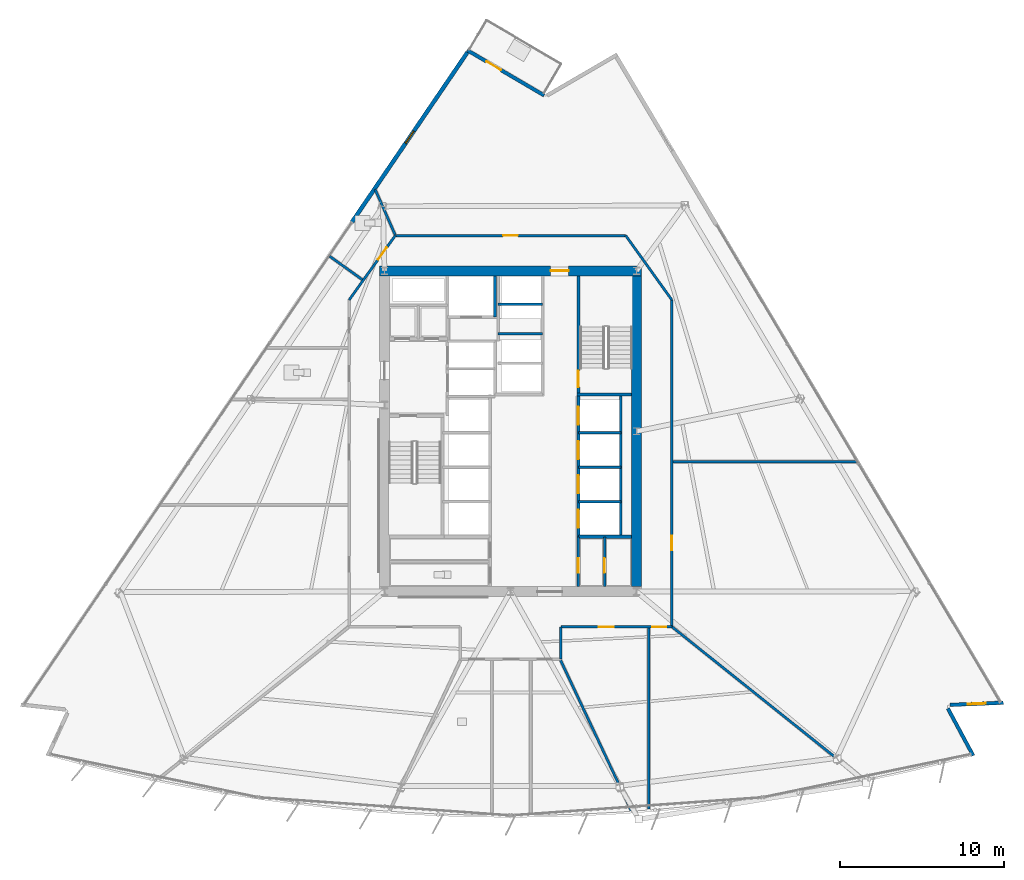
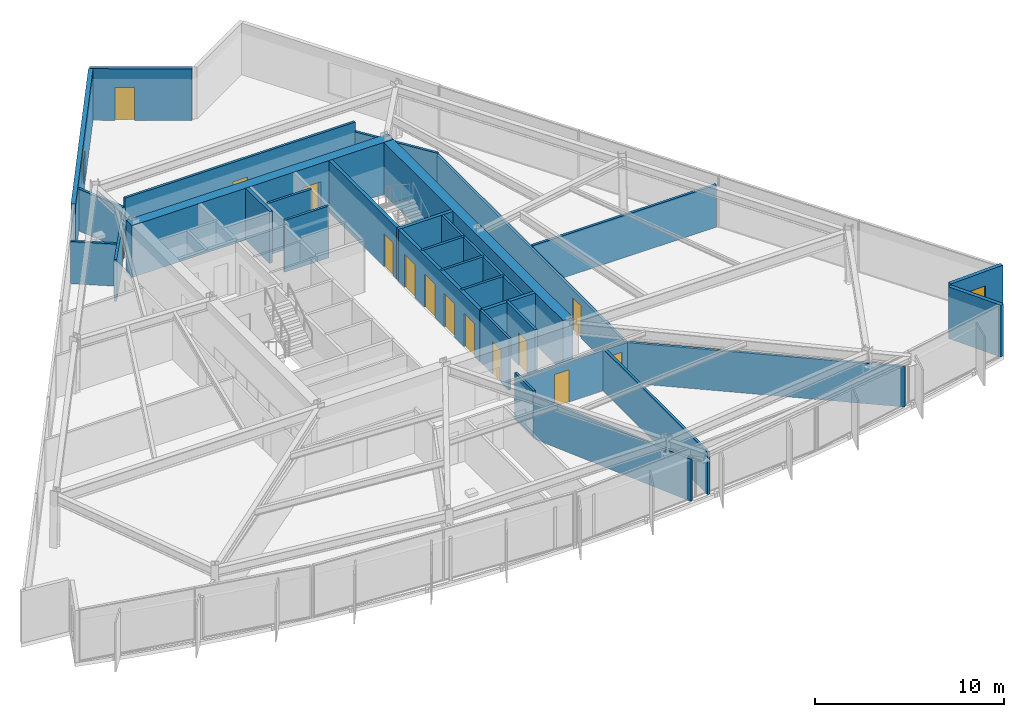
# One storey, part 10 of 18: 31 walls, 14 doors, 2 windows, 16 openings.
"""IFC4 building model written with IfcOpenShell, lengths in metres."""

from ifc_helpers import new_model, si_unit, direction, frame, frame_2d, origin, place, context, subcontext, project, spatial, rectangle, extrude, material, layer, layer_set, type_object, element, fill, save


model = new_model("IFC4")

# Units and contexts
model_context = context("Model", 3, precision=1e-05, world=origin(), true_north=direction((0.0, 1.0)))
body_context = subcontext(model_context, "Body", "Model", "MODEL_VIEW")
ifc_project = project(units=[si_unit("LENGTHUNIT", "METRE"), si_unit("AREAUNIT", "SQUARE_METRE"), si_unit("VOLUMEUNIT", "CUBIC_METRE"), si_unit("PLANEANGLEUNIT", "RADIAN"), si_unit("MASSUNIT", "GRAM", prefix="KILO")], contexts=[model_context])

# Site, building, storey
site_placement = place(None, origin())
site = spatial("IfcSite", under=ifc_project, at=site_placement, CompositionType="ELEMENT")
building_placement = place(site_placement, origin())
building = spatial("IfcBuilding", under=site, at=building_placement, Name="Savorim Split Tower", CompositionType="ELEMENT")
storey_placement = place(building_placement, frame((0.0, 0.0, 44.39990234375)))
storey = spatial("IfcBuildingStorey", under=building, at=storey_placement, Name="L11", CompositionType="ELEMENT", Elevation=44.39990234375)

# Wall, opening, door
ifc_material_1 = material(Name="Concrete C60/75", Category="concrete")
ifc_layer_1 = layer(ifc_material_1, 0.60009765625)
ifc_layer_set_1 = layer_set([ifc_layer_1], Name="WAL-COR-SH600")
wall_type_1 = type_object("IfcWallType", Name="WAL-COR-SH600", PredefinedType="SHEAR", material=ifc_layer_set_1)
wall_1_placement = place(storey_placement, frame((8.0, 10.199951171875, 0.0), z_axis=(0.0, 0.0, 1.0), x_axis=(-1.0, 0.0, 0.0)))
wall_1 = element("IfcWall", 1, at=wall_1_placement, inside=storey, type_object=wall_type_1, Name="L11 Offset Core North Shear Wall", PredefinedType="SHEAR", context=body_context, shape_type="SweptSolid", body=[
    extrude(rectangle(XDim=16.0, YDim=0.60009765625, at=frame_2d((8.0, 0.0))), origin(), (0.0, 0.0, 1.0), 3.35009765625),
])
opening_1_placement = place(wall_1_placement, frame((4.449951171875, 0.0, 0.0)))
opening_1 = element("IfcOpeningElement", 2, at=opening_1_placement, cuts=wall_1, Name="Opening DI-03", PredefinedType="OPENING", context=body_context, shape_type="SweptSolid", body=[
    extrude(rectangle(XDim=1.10009765625, YDim=2.14990234375, at=frame_2d((0.550048828125, 1.074951171875))), frame((0.0, 0.31005859375, 0.0), z_axis=(0.0, -1.0, 0.0), x_axis=(1.0, 0.0, 0.0)), (0.0, 0.0, 1.0), 0.6201171875),
])
ifc_material_2 = material(Name="Timber Fire Door Leaf", Category="wood")
door_type_1 = type_object("IfcDoorType", Name="DOR-FIR-1100", OperationType="NOTDEFINED", PredefinedType="DOOR", material=ifc_material_2)
door_1_placement = place(opening_1_placement, origin())
door_1 = element("IfcDoor", 3, at=door_1_placement, inside=storey, type_object=door_type_1, Name="DOR-L11-COR-NLOB - L11 North Corridor Lobby Fire Door", OperationType="SINGLE_SWING_RIGHT", OverallHeight=2.14990234375, OverallWidth=1.10009765625, PredefinedType="DOOR", context=body_context, shape_type="SweptSolid", body=[
    extrude(rectangle(XDim=1.10009765625, YDim=2.14990234375, at=frame_2d((0.550048828125, 1.074951171875))), frame((0.0, 0.02490234375, 0.0), z_axis=(0.0, -1.0, 0.0), x_axis=(1.0, 0.0, 0.0)), (0.0, 0.0, 1.0), 0.050048828125),
])
fill(opening_1, door_1)

# Walls
wall_2_placement = place(storey_placement, frame((7.699951171875, 9.89990234375, 0.0), z_axis=(0.0, 0.0, 1.0), x_axis=(0.0, -1.0, 0.0)))
element("IfcWall", 4, at=wall_2_placement, inside=storey, type_object=wall_type_1, Name="L11 Offset Core East Shear Wall", PredefinedType="SHEAR", context=body_context, shape_type="SweptSolid", body=[
    extrude(rectangle(XDim=19.0, YDim=0.60009765625, at=frame_2d((9.5, 0.0))), origin(), (0.0, 0.0, 1.0), 3.35009765625),
])
ifc_material_3 = material(Name="Precast concrete C40/50", Category="concrete")
ifc_layer_2 = layer(ifc_material_3, 0.219970703125)
ifc_layer_set_2 = layer_set([ifc_layer_2], Name="WAL-EXT-CRN220")
wall_type_2 = type_object("IfcWallType", Name="WAL-EXT-CRN220", PredefinedType="SOLIDWALL", material=ifc_layer_set_2)
wall_3_placement = place(storey_placement, frame((26.729248046875, -16.5400390625, 0.0), z_axis=(0.0, 0.0, 1.0), x_axis=(0.472830429959, -0.881153439819, 0.0)))
element("IfcWall", 5, at=wall_3_placement, inside=storey, type_object=wall_type_2, Name="L11 Notched Corner Facade Wall SE1", PredefinedType="SOLIDWALL", context=body_context, shape_type="SweptSolid", body=[
    extrude(rectangle(XDim=3.27001953125, YDim=0.219970703125, at=frame_2d((1.635009765625, 0.0))), origin(), (0.0, 0.0, 1.0), 3.35009765625),
])

# Wall, opening, window
wall_4_placement = place(storey_placement, frame((30.114990234375, -16.1875, 0.0), z_axis=(0.0, 0.0, 1.0), x_axis=(-0.999095638069, -0.042519477791, 0.0)))
wall_4 = element("IfcWall", 6, at=wall_4_placement, inside=storey, type_object=wall_type_2, Name="L11 Notched Corner Facade Wall SE", PredefinedType="SOLIDWALL", context=body_context, shape_type="SweptSolid", body=[
    extrude(rectangle(XDim=3.26708984375, YDim=0.219970703125, at=frame_2d((1.633544921875, 0.0))), origin(), (0.0, 0.0, 1.0), 3.35009765625),
])
opening_2_placement = place(wall_4_placement, frame((1.08349609375, 0.0, 0.6201171875)))
opening_2 = element("IfcOpeningElement", 7, at=opening_2_placement, cuts=wall_4, Name="Opening WN-09", PredefinedType="OPENING", context=body_context, shape_type="SweptSolid", body=[
    extrude(rectangle(XDim=1.10009765625, YDim=1.800048828125, at=frame_2d((0.550048828125, 0.89990234375))), frame((0.0, 0.119873046875, 0.0), z_axis=(0.0, -1.0, 0.0), x_axis=(1.0, 0.0, 0.0)), (0.0, 0.0, 1.0), 0.239990234375),
])
ifc_material_4 = material(Name="Low-E Operable Double Glazing", Category="glass")
window_type_1 = type_object("IfcWindowType", Name="WIN-TWR-1100x1800", PartitioningType="SINGLE_PANEL", PredefinedType="WINDOW", material=ifc_material_4)
window_1_placement = place(opening_2_placement, origin())
window_1 = element("IfcWindow", 8, at=window_1_placement, inside=storey, type_object=window_type_1, Name="L11 Operable Corner Window SE", OverallHeight=1.800048828125, OverallWidth=1.10009765625, PartitioningType="SINGLE_PANEL", PredefinedType="WINDOW", context=body_context, shape_type="SweptSolid", body=[
    extrude(rectangle(XDim=1.10009765625, YDim=1.800048828125, at=frame_2d((0.550048828125, 0.89990234375))), frame((0.0, 0.030029296875, 0.0), z_axis=(0.0, -1.0, 0.0), x_axis=(1.0, 0.0, 0.0)), (0.0, 0.0, 1.0), 0.06005859375),
])
fill(opening_2, window_1)

# Wall, opening, door
wall_5_placement = place(storey_placement, frame((-2.634765625, 23.681396484375, 0.0), z_axis=(0.0, 0.0, 1.0), x_axis=(0.862126841454, -0.506692519428, 0.0)))
wall_5 = element("IfcWall", 9, at=wall_5_placement, inside=storey, type_object=wall_type_2, Name="L11 Notched Corner Facade Wall N", PredefinedType="SOLIDWALL", context=body_context, shape_type="SweptSolid", body=[
    extrude(rectangle(XDim=5.439453125, YDim=0.219970703125, at=frame_2d((2.7197265625, 0.0))), origin(), (0.0, 0.0, 1.0), 3.35009765625),
])
opening_3_placement = place(wall_5_placement, frame((1.3447265625, 0.0, 0.0)))
opening_3 = element("IfcOpeningElement", 10, at=opening_3_placement, cuts=wall_5, Name="Opening DB-01", PredefinedType="OPENING", context=body_context, shape_type="SweptSolid", body=[
    extrude(rectangle(XDim=1.050048828125, YDim=2.14990234375, at=frame_2d((0.52490234375, 1.074951171875))), frame((0.0, 0.119873046875, 0.0), z_axis=(0.0, -1.0, 0.0), x_axis=(1.0, 0.0, 0.0)), (0.0, 0.0, 1.0), 0.239990234375),
])
ifc_material_5 = material(Name="Charcoal Anodised Aluminium", Category="aluminium")
door_type_2 = type_object("IfcDoorType", Name="DOR-BAL-1050", OperationType="NOTDEFINED", PredefinedType="DOOR", material=ifc_material_5)
door_2_placement = place(opening_3_placement, origin())
door_2 = element("IfcDoor", 11, at=door_2_placement, inside=storey, type_object=door_type_2, Name="DOR-L11-TBAL-N - L11 Planted Tree Balcony Door N", OperationType="SINGLE_SWING_RIGHT", OverallHeight=2.14990234375, OverallWidth=1.050048828125, PredefinedType="DOOR", context=body_context, shape_type="SweptSolid", body=[
    extrude(rectangle(XDim=1.050048828125, YDim=2.14990234375, at=frame_2d((0.52490234375, 1.074951171875))), frame((0.0, 0.02490234375, 0.0), z_axis=(0.0, -1.0, 0.0), x_axis=(1.0, 0.0, 0.0)), (0.0, 0.0, 1.0), 0.050048828125),
])
fill(opening_3, door_2)

# Wall, opening, window
ifc_layer_3 = layer(ifc_material_3, 0.25)
ifc_layer_set_3 = layer_set([ifc_layer_3], Name="WAL-EXT-SPN250")
wall_type_3 = type_object("IfcWallType", Name="WAL-EXT-SPN250", PredefinedType="SOLIDWALL", material=ifc_layer_set_3)
wall_6_placement = place(storey_placement, frame((-9.68408203125, 13.19091796875, 0.0), z_axis=(0.0, 0.0, 1.0), x_axis=(0.562473549685, 0.826815279192, 0.0)))
wall_6 = element("IfcWall", 12, at=wall_6_placement, inside=storey, type_object=wall_type_3, Name="L11 West Operable Window Pier", PredefinedType="SOLIDWALL", context=body_context, shape_type="SweptSolid", body=[
    extrude(rectangle(XDim=12.53564453125, YDim=0.25, at=frame_2d((6.267822265625, 0.0))), origin(), (0.0, 0.0, 1.0), 3.35009765625),
])
opening_4_placement = place(wall_6_placement, frame((5.81787109375, 0.0, 0.6201171875)))
opening_4 = element("IfcOpeningElement", 13, at=opening_4_placement, cuts=wall_6, Name="Opening WN-10", PredefinedType="OPENING", context=body_context, shape_type="SweptSolid", body=[
    extrude(rectangle(XDim=0.89990234375, YDim=1.60009765625, at=frame_2d((0.449951171875, 0.800048828125))), frame((0.0, 0.135009765625, 0.0), z_axis=(0.0, -1.0, 0.0), x_axis=(1.0, 0.0, 0.0)), (0.0, 0.0, 1.0), 0.27001953125),
])
window_type_2 = type_object("IfcWindowType", Name="WIN-TWR-900x1600", PartitioningType="SINGLE_PANEL", PredefinedType="WINDOW", material=ifc_material_4)
window_2_placement = place(opening_4_placement, origin())
window_2 = element("IfcWindow", 14, at=window_2_placement, inside=storey, type_object=window_type_2, Name="L11 West Operable Ventilation Window", OverallHeight=1.60009765625, OverallWidth=0.89990234375, PartitioningType="SINGLE_PANEL", PredefinedType="WINDOW", context=body_context, shape_type="SweptSolid", body=[
    extrude(rectangle(XDim=0.89990234375, YDim=1.60009765625, at=frame_2d((0.449951171875, 0.800048828125))), frame((0.0, 0.030029296875, 0.0), z_axis=(0.0, -1.0, 0.0), x_axis=(1.0, 0.0, 0.0)), (0.0, 0.0, 1.0), 0.06005859375),
])
fill(opening_4, window_2)

# Wall, opening, door
ifc_material_6 = material(Name="Concrete C50/60", Category="concrete")
ifc_layer_4 = layer(ifc_material_6, 0.199951171875)
ifc_layer_set_4 = layer_set([ifc_layer_4], Name="WAL-INT-RC200")
wall_type_4 = type_object("IfcWallType", Name="WAL-INT-RC200", PredefinedType="SOLIDWALL", material=ifc_layer_set_4)
wall_7_placement = place(storey_placement, frame((4.14990234375, 2.75, 0.0), z_axis=(0.0, 0.0, 1.0), x_axis=(0.0, 1.0, 0.0)))
wall_7 = element("IfcWall", 15, at=wall_7_placement, inside=storey, type_object=wall_type_4, Name="L11 Structural Shaft Wall W-L11-CR07", PredefinedType="SOLIDWALL", context=body_context, shape_type="SweptSolid", body=[
    extrude(rectangle(XDim=7.14990234375, YDim=0.199951171875, at=frame_2d((3.574951171875, 0.0))), origin(), (0.0, 0.0, 1.0), 3.35009765625),
])
opening_5_placement = place(wall_7_placement, frame((0.35009765625, 0.0, 0.0)))
opening_5 = element("IfcOpeningElement", 16, at=opening_5_placement, cuts=wall_7, Name="Opening DI-04", PredefinedType="OPENING", context=body_context, shape_type="SweptSolid", body=[
    extrude(rectangle(XDim=1.0, YDim=2.14990234375, at=frame_2d((0.5, 1.074951171875))), frame((0.0, 0.10986328125, 0.0), z_axis=(0.0, -1.0, 0.0), x_axis=(1.0, 0.0, 0.0)), (0.0, 0.0, 1.0), 0.219970703125),
])
door_type_3 = type_object("IfcDoorType", Name="DOR-FIR-1000", OperationType="NOTDEFINED", PredefinedType="DOOR", material=ifc_material_2)
door_3_placement = place(opening_5_placement, origin())
door_3 = element("IfcDoor", 17, at=door_3_placement, inside=storey, type_object=door_type_3, Name="DR-L11-ST2 - L11 Stair ST-2 Enclosure Door", OperationType="SINGLE_SWING_RIGHT", OverallHeight=2.14990234375, OverallWidth=1.0, PredefinedType="DOOR", context=body_context, shape_type="SweptSolid", body=[
    extrude(rectangle(XDim=1.0, YDim=2.14990234375, at=frame_2d((0.5, 1.074951171875))), frame((0.0, 0.02490234375, 0.0), z_axis=(0.0, -1.0, 0.0), x_axis=(1.0, 0.0, 0.0)), (0.0, 0.0, 1.0), 0.050048828125),
])
fill(opening_5, door_3)

# Walls
wall_8_placement = place(storey_placement, frame((4.050048828125, 2.64990234375, 0.0), z_axis=(0.0, 0.0, 1.0), x_axis=(1.0, 0.0, 0.0)))
element("IfcWall", 18, at=wall_8_placement, inside=storey, type_object=wall_type_4, Name="L11 Structural Shaft Wall W-L11-CR08", PredefinedType="SOLIDWALL", context=body_context, shape_type="SweptSolid", body=[
    extrude(rectangle(XDim=3.349853515625, YDim=0.199951171875, at=frame_2d((1.6748046875, 0.0))), origin(), (0.0, 0.0, 1.0), 3.35009765625),
])
wall_9_placement = place(storey_placement, frame((-0.949951171875, 7.3798828125, 0.0), z_axis=(0.0, 0.0, 1.0), x_axis=(0.0, 1.0, 0.0)))
element("IfcWall", 19, at=wall_9_placement, inside=storey, type_object=wall_type_4, Name="L11 Partition W-L11-SVLE", PredefinedType="SOLIDWALL", context=body_context, shape_type="SweptSolid", body=[
    extrude(rectangle(XDim=2.51513671875, YDim=0.199951171875, at=frame_2d((1.257568359375, 0.0))), origin(), (0.0, 0.0, 1.0), 3.35009765625),
])

# Wall, openings, doors
wall_10_placement = place(storey_placement, frame((4.14990234375, -6.050048828125, 0.0), z_axis=(0.0, 0.0, 1.0), x_axis=(0.0, 1.0, 0.0)))
wall_10 = element("IfcWall", 20, at=wall_10_placement, inside=storey, type_object=wall_type_4, Name="L11 Partition W-L11-B1FRONT", PredefinedType="SOLIDWALL", context=body_context, shape_type="SweptSolid", body=[
    extrude(rectangle(XDim=8.699951171875, YDim=0.199951171875, at=frame_2d((4.35009765625, 0.0))), origin(), (0.0, 0.0, 1.0), 3.35009765625),
])
opening_6_placement = place(wall_10_placement, frame((0.550048828125, 0.0, 0.0)))
opening_6 = element("IfcOpeningElement", 21, at=opening_6_placement, cuts=wall_10, Name="Opening LD-01", PredefinedType="OPENING", context=body_context, shape_type="SweptSolid", body=[
    extrude(rectangle(XDim=1.10009765625, YDim=2.14990234375, at=frame_2d((0.550048828125, 1.074951171875))), frame((0.0, 0.10986328125, 0.0), z_axis=(0.0, -1.0, 0.0), x_axis=(1.0, 0.0, 0.0)), (0.0, 0.0, 1.0), 0.219970703125),
])
opening_7_placement = place(wall_10_placement, frame((2.64990234375, 0.0, 0.0)))
opening_7 = element("IfcOpeningElement", 22, at=opening_7_placement, cuts=wall_10, Name="Opening LD-01", PredefinedType="OPENING", context=body_context, shape_type="SweptSolid", body=[
    extrude(rectangle(XDim=1.10009765625, YDim=2.14990234375, at=frame_2d((0.550048828125, 1.074951171875))), frame((0.0, 0.10986328125, 0.0), z_axis=(0.0, -1.0, 0.0), x_axis=(1.0, 0.0, 0.0)), (0.0, 0.0, 1.0), 0.219970703125),
])
opening_8_placement = place(wall_10_placement, frame((4.75, 0.0, 0.0)))
opening_8 = element("IfcOpeningElement", 23, at=opening_8_placement, cuts=wall_10, Name="Opening LD-01", PredefinedType="OPENING", context=body_context, shape_type="SweptSolid", body=[
    extrude(rectangle(XDim=1.10009765625, YDim=2.14990234375, at=frame_2d((0.550048828125, 1.074951171875))), frame((0.0, 0.10986328125, 0.0), z_axis=(0.0, -1.0, 0.0), x_axis=(1.0, 0.0, 0.0)), (0.0, 0.0, 1.0), 0.219970703125),
])
opening_9_placement = place(wall_10_placement, frame((6.85009765625, 0.0, 0.0)))
opening_9 = element("IfcOpeningElement", 24, at=opening_9_placement, cuts=wall_10, Name="Opening LD-01", PredefinedType="OPENING", context=body_context, shape_type="SweptSolid", body=[
    extrude(rectangle(XDim=1.10009765625, YDim=2.14990234375, at=frame_2d((0.550048828125, 1.074951171875))), frame((0.0, 0.10986328125, 0.0), z_axis=(0.0, -1.0, 0.0), x_axis=(1.0, 0.0, 0.0)), (0.0, 0.0, 1.0), 0.219970703125),
])
door_type_4 = type_object("IfcDoorType", Name="DOR-SLD-LD1100", OperationType="NOTDEFINED", PredefinedType="DOOR", material=ifc_material_5)
door_4_placement = place(opening_6_placement, origin())
door_4 = element("IfcDoor", 25, at=door_4_placement, inside=storey, type_object=door_type_4, Name="DR-L11-LD-PLL1 - L11 Lift PL-L1 Sliding Landing Door", OperationType="DOUBLE_DOOR_SLIDING", OverallHeight=2.14990234375, OverallWidth=1.10009765625, PredefinedType="DOOR", context=body_context, shape_type="SweptSolid", body=[
    extrude(rectangle(XDim=1.10009765625, YDim=2.14990234375, at=frame_2d((0.550048828125, 1.074951171875))), frame((0.0, 0.02490234375, 0.0), z_axis=(0.0, -1.0, 0.0), x_axis=(1.0, 0.0, 0.0)), (0.0, 0.0, 1.0), 0.050048828125),
])
fill(opening_6, door_4)
door_5_placement = place(opening_7_placement, origin())
door_5 = element("IfcDoor", 26, at=door_5_placement, inside=storey, type_object=door_type_4, Name="DR-L11-LD-PLL2 - L11 Lift PL-L2 Sliding Landing Door", OperationType="DOUBLE_DOOR_SLIDING", OverallHeight=2.14990234375, OverallWidth=1.10009765625, PredefinedType="DOOR", context=body_context, shape_type="SweptSolid", body=[
    extrude(rectangle(XDim=1.10009765625, YDim=2.14990234375, at=frame_2d((0.550048828125, 1.074951171875))), frame((0.0, 0.02490234375, 0.0), z_axis=(0.0, -1.0, 0.0), x_axis=(1.0, 0.0, 0.0)), (0.0, 0.0, 1.0), 0.050048828125),
])
fill(opening_7, door_5)
door_6_placement = place(opening_8_placement, origin())
door_6 = element("IfcDoor", 27, at=door_6_placement, inside=storey, type_object=door_type_4, Name="DR-L11-LD-PLL3 - L11 Lift PL-L3 Sliding Landing Door", OperationType="DOUBLE_DOOR_SLIDING", OverallHeight=2.14990234375, OverallWidth=1.10009765625, PredefinedType="DOOR", context=body_context, shape_type="SweptSolid", body=[
    extrude(rectangle(XDim=1.10009765625, YDim=2.14990234375, at=frame_2d((0.550048828125, 1.074951171875))), frame((0.0, 0.02490234375, 0.0), z_axis=(0.0, -1.0, 0.0), x_axis=(1.0, 0.0, 0.0)), (0.0, 0.0, 1.0), 0.050048828125),
])
fill(opening_8, door_6)
door_7_placement = place(opening_9_placement, origin())
door_7 = element("IfcDoor", 28, at=door_7_placement, inside=storey, type_object=door_type_4, Name="DR-L11-LD-PLL4 - L11 Lift PL-L4 Sliding Landing Door", OperationType="DOUBLE_DOOR_SLIDING", OverallHeight=2.14990234375, OverallWidth=1.10009765625, PredefinedType="DOOR", context=body_context, shape_type="SweptSolid", body=[
    extrude(rectangle(XDim=1.10009765625, YDim=2.14990234375, at=frame_2d((0.550048828125, 1.074951171875))), frame((0.0, 0.02490234375, 0.0), z_axis=(0.0, -1.0, 0.0), x_axis=(1.0, 0.0, 0.0)), (0.0, 0.0, 1.0), 0.050048828125),
])
fill(opening_9, door_7)

# Walls
wall_11_placement = place(storey_placement, frame((4.14990234375, -6.050048828125, 0.0), z_axis=(0.0, 0.0, 1.0), x_axis=(1.0, 0.0, 0.0)))
element("IfcWall", 29, at=wall_11_placement, inside=storey, type_object=wall_type_4, Name="L11 Partition W-L11-KSEP-E", PredefinedType="SOLIDWALL", context=body_context, shape_type="SweptSolid", body=[
    extrude(rectangle(XDim=3.2451171875, YDim=0.199951171875, at=frame_2d((1.62255859375, 0.0))), origin(), (0.0, 0.0, 1.0), 3.35009765625),
])
ifc_material_7 = material(Name="Acoustic Gypsum Partition Board")
ifc_layer_5 = layer(ifc_material_7, 0.14990234375)
ifc_layer_set_5 = layer_set([ifc_layer_5], Name="WAL-PAR-150")
wall_type_5 = type_object("IfcWallType", Name="WAL-PAR-150", PredefinedType="PARTITIONING", material=ifc_layer_set_5)
wall_12_placement = place(storey_placement, frame((6.75, -6.050048828125, 0.0), z_axis=(0.0, 0.0, 1.0), x_axis=(0.0, 1.0, 0.0)))
element("IfcWall", 30, at=wall_12_placement, inside=storey, type_object=wall_type_5, Name="L11 Partition W-L11-B1BACK", PredefinedType="PARTITIONING", context=body_context, shape_type="SweptSolid", body=[
    extrude(rectangle(XDim=8.699951171875, YDim=0.14990234375, at=frame_2d((4.35009765625, 0.0))), origin(), (0.0, 0.0, 1.0), 3.35009765625),
])
for number, where, z_axis, x_axis, name in (
    (31, (4.14990234375, -3.89990234375, 0.0), (0.0, 0.0, 1.0), (1.0, 0.0, 0.0), "L11 Partition W-L11-B1DIV1"),
    (32, (4.14990234375, -1.800048828125, 0.0), (0.0, 0.0, 1.0), (1.0, 0.0, 0.0), "L11 Partition W-L11-B1DIV2"),
    (33, (4.14990234375, 0.300048828125, 0.0), (0.0, 0.0, 1.0), (1.0, 0.0, 0.0), "L11 Partition W-L11-B1DIV3"),
):
    element("IfcWall", number, at=place(storey_placement, frame(where, z_axis=z_axis, x_axis=x_axis)), inside=storey, type_object=wall_type_5, Name=name, PredefinedType="PARTITIONING", context=body_context, shape_type="SweptSolid", body=[
        extrude(rectangle(XDim=2.60009765625, YDim=0.14990234375, at=frame_2d((1.300048828125, 0.0))), origin(), (0.0, 0.0, 1.0), 3.35009765625),
    ])
for number, where, z_axis, x_axis, name in (
    (34, (-0.75, 6.35009765625, 0.0), (0.0, 0.0, 1.0), (1.0, 0.0, 0.0), "L11 Partition W-L11-B3DIV2"),
    (35, (-0.75, 8.14990234375, 0.0), (0.0, 0.0, 1.0), (1.0, 0.0, 0.0), "L11 Partition W-L11-B3DIV3"),
):
    element("IfcWall", number, at=place(storey_placement, frame(where, z_axis=z_axis, x_axis=x_axis)), inside=storey, type_object=wall_type_5, Name=name, PredefinedType="PARTITIONING", context=body_context, shape_type="SweptSolid", body=[
        extrude(rectangle(XDim=2.699951171875, YDim=0.14990234375, at=frame_2d((1.35009765625, 0.0))), origin(), (0.0, 0.0, 1.0), 3.35009765625),
    ])

# Wall, opening, door
wall_13_placement = place(storey_placement, frame((4.14990234375, -9.094970703125, 0.0), z_axis=(0.0, 0.0, 1.0), x_axis=(0.0, 1.0, 0.0)))
wall_13 = element("IfcWall", 36, at=wall_13_placement, inside=storey, type_object=wall_type_5, Name="L11 Partition W-L11-KLOB-E", PredefinedType="PARTITIONING", context=body_context, shape_type="SweptSolid", body=[
    extrude(rectangle(XDim=3.044921875, YDim=0.14990234375, at=frame_2d((1.5224609375, 0.0))), origin(), (0.0, 0.0, 1.0), 3.35009765625),
])
opening_10_placement = place(wall_13_placement, frame((0.844970703125, 0.0, 0.0)))
opening_10 = element("IfcOpeningElement", 37, at=opening_10_placement, cuts=wall_13, Name="Opening DI-06", PredefinedType="OPENING", context=body_context, shape_type="SweptSolid", body=[
    extrude(rectangle(XDim=0.89990234375, YDim=2.10009765625, at=frame_2d((0.449951171875, 1.050048828125))), frame((0.0, 0.0849609375, 0.0), z_axis=(0.0, -1.0, 0.0), x_axis=(1.0, 0.0, 0.0)), (0.0, 0.0, 1.0), 0.169921875),
])
door_type_5 = type_object("IfcDoorType", Name="DOR-FIR-900", OperationType="NOTDEFINED", PredefinedType="DOOR", material=ifc_material_2)
door_8_placement = place(opening_10_placement, origin())
door_8 = element("IfcDoor", 38, at=door_8_placement, inside=storey, type_object=door_type_5, Name="DR-L11-K2PAN - L11 Vending Pantry Door", OperationType="SINGLE_SWING_LEFT", OverallHeight=2.10009765625, OverallWidth=0.89990234375, PredefinedType="DOOR", context=body_context, shape_type="SweptSolid", body=[
    extrude(rectangle(XDim=0.89990234375, YDim=2.10009765625, at=frame_2d((0.449951171875, 1.050048828125))), frame((0.0, 0.02490234375, 0.0), z_axis=(0.0, -1.0, 0.0), x_axis=(1.0, 0.0, 0.0)), (0.0, 0.0, 1.0), 0.050048828125),
])
fill(opening_10, door_8)

wall_14_placement = place(storey_placement, frame((5.75, -9.094970703125, 0.0), z_axis=(0.0, 0.0, 1.0), x_axis=(0.0, 1.0, 0.0)))
wall_14 = element("IfcWall", 39, at=wall_14_placement, inside=storey, type_object=wall_type_5, Name="L11 Partition W-L11-K2E", PredefinedType="PARTITIONING", context=body_context, shape_type="SweptSolid", body=[
    extrude(rectangle(XDim=3.044921875, YDim=0.14990234375, at=frame_2d((1.5224609375, 0.0))), origin(), (0.0, 0.0, 1.0), 3.35009765625),
])
opening_11_placement = place(wall_14_placement, frame((0.844970703125, 0.0, 0.0)))
opening_11 = element("IfcOpeningElement", 40, at=opening_11_placement, cuts=wall_14, Name="Opening DI-06", PredefinedType="OPENING", context=body_context, shape_type="SweptSolid", body=[
    extrude(rectangle(XDim=0.89990234375, YDim=2.10009765625, at=frame_2d((0.449951171875, 1.050048828125))), frame((0.0, 0.0849609375, 0.0), z_axis=(0.0, -1.0, 0.0), x_axis=(1.0, 0.0, 0.0)), (0.0, 0.0, 1.0), 0.169921875),
])
door_9_placement = place(opening_11_placement, origin())
door_9 = element("IfcDoor", 41, at=door_9_placement, inside=storey, type_object=door_type_5, Name="DR-L11-K2REF - L11 Recycling Room Door", OperationType="SINGLE_SWING_RIGHT", OverallHeight=2.10009765625, OverallWidth=0.89990234375, PredefinedType="DOOR", context=body_context, shape_type="SweptSolid", body=[
    extrude(rectangle(XDim=0.89990234375, YDim=2.10009765625, at=frame_2d((0.449951171875, 1.050048828125))), frame((0.0, 0.02490234375, 0.0), z_axis=(0.0, -1.0, 0.0), x_axis=(1.0, 0.0, 0.0)), (0.0, 0.0, 1.0), 0.050048828125),
])
fill(opening_11, door_9)

wall_15_placement = place(storey_placement, frame((-9.860107421875, 8.42578125, 0.0), z_axis=(0.0, 0.0, 1.0), x_axis=(0.582449511476, 0.812866881218, 0.0)))
wall_15 = element("IfcWall", 42, at=wall_15_placement, inside=storey, type_object=wall_type_5, Name="L11 Partition W-L11-COR-02", PredefinedType="PARTITIONING", context=body_context, shape_type="SweptSolid", body=[
    extrude(rectangle(XDim=4.840087890625, YDim=0.14990234375, at=frame_2d((2.419921875, 0.0))), origin(), (0.0, 0.0, 1.0), 2.72509765625),
])
opening_12_placement = place(wall_15_placement, frame((3.038330078125, 0.0, 0.0)))
opening_12 = element("IfcOpeningElement", 43, at=opening_12_placement, cuts=wall_15, Name="Opening DI-11", PredefinedType="OPENING", context=body_context, shape_type="SweptSolid", body=[
    extrude(rectangle(XDim=0.89990234375, YDim=2.10009765625, at=frame_2d((0.449951171875, 1.050048828125))), frame((0.0, 0.0849609375, 0.0), z_axis=(0.0, -1.0, 0.0), x_axis=(1.0, 0.0, 0.0)), (0.0, 0.0, 1.0), 0.169921875),
])
ifc_material_8 = material(Name="Oak Veneer Acoustic Door")
door_type_6 = type_object("IfcDoorType", Name="DOR-WC-900", OperationType="NOTDEFINED", PredefinedType="DOOR", material=ifc_material_8)
door_10_placement = place(opening_12_placement, origin())
door_10 = element("IfcDoor", 44, at=door_10_placement, inside=storey, type_object=door_type_6, Name="DR-L11-RM11 - L11 Shared Bathroom Entry Door", OperationType="SINGLE_SWING_RIGHT", OverallHeight=2.10009765625, OverallWidth=0.89990234375, PredefinedType="DOOR", context=body_context, shape_type="SweptSolid", body=[
    extrude(rectangle(XDim=0.89990234375, YDim=2.10009765625, at=frame_2d((0.449951171875, 1.050048828125))), frame((0.0, 0.02490234375, 0.0), z_axis=(0.0, -1.0, 0.0), x_axis=(1.0, 0.0, 0.0)), (0.0, 0.0, 1.0), 0.050048828125),
])
fill(opening_12, door_10)

wall_16_placement = place(storey_placement, frame((-7.041015625, 12.360107421875, 0.0), z_axis=(0.0, 0.0, 1.0), x_axis=(1.0, 0.0, 0.0)))
wall_16 = element("IfcWall", 45, at=wall_16_placement, inside=storey, type_object=wall_type_5, Name="L11 Partition W-L11-COR-03", PredefinedType="PARTITIONING", context=body_context, shape_type="SweptSolid", body=[
    extrude(rectangle(XDim=14.08203125, YDim=0.14990234375, at=frame_2d((7.041015625, 0.0))), origin(), (0.0, 0.0, 1.0), 3.35009765625),
])
opening_13_placement = place(wall_16_placement, frame((6.591064453125, 0.0, 0.0)))
opening_13 = element("IfcOpeningElement", 46, at=opening_13_placement, cuts=wall_16, Name="Opening DI-06", PredefinedType="OPENING", context=body_context, shape_type="SweptSolid", body=[
    extrude(rectangle(XDim=0.89990234375, YDim=2.10009765625, at=frame_2d((0.449951171875, 1.050048828125))), frame((0.0, 0.0849609375, 0.0), z_axis=(0.0, -1.0, 0.0), x_axis=(1.0, 0.0, 0.0)), (0.0, 0.0, 1.0), 0.169921875),
])
door_11_placement = place(opening_13_placement, origin())
door_11 = element("IfcDoor", 47, at=door_11_placement, inside=storey, type_object=door_type_5, Name="DR-L11-RM10 - L11 Co-Working Commons Entry Door", OperationType="SINGLE_SWING_LEFT", OverallHeight=2.10009765625, OverallWidth=0.89990234375, PredefinedType="DOOR", context=body_context, shape_type="SweptSolid", body=[
    extrude(rectangle(XDim=0.89990234375, YDim=2.10009765625, at=frame_2d((0.449951171875, 1.050048828125))), frame((0.0, 0.02490234375, 0.0), z_axis=(0.0, -1.0, 0.0), x_axis=(1.0, 0.0, 0.0)), (0.0, 0.0, 1.0), 0.050048828125),
])
fill(opening_13, door_11)

# Wall
wall_17_placement = place(storey_placement, frame((7.041015625, 12.360107421875, 0.0), z_axis=(0.0, 0.0, 1.0), x_axis=(0.582449511476, -0.812866881218, 0.0)))
element("IfcWall", 48, at=wall_17_placement, inside=storey, type_object=wall_type_5, Name="L11 Partition W-L11-COR-04", PredefinedType="PARTITIONING", context=body_context, shape_type="SweptSolid", body=[
    extrude(rectangle(XDim=4.840087890625, YDim=0.14990234375, at=frame_2d((2.419921875, 0.0))), origin(), (0.0, 0.0, 1.0), 2.72509765625),
])

# Wall, opening, door
wall_18_placement = place(storey_placement, frame((9.860107421875, 8.42578125, 0.0), z_axis=(0.0, 0.0, 1.0), x_axis=(0.0, -1.0, 0.0)))
wall_18 = element("IfcWall", 49, at=wall_18_placement, inside=storey, type_object=wall_type_5, Name="L11 Partition W-L11-COR-05", PredefinedType="PARTITIONING", context=body_context, shape_type="SweptSolid", body=[
    extrude(rectangle(XDim=19.98583984375, YDim=0.14990234375, at=frame_2d((9.992919921875, 0.0))), origin(), (0.0, 0.0, 1.0), 2.609130859375),
])
opening_14_placement = place(wall_18_placement, frame((14.3994140625, 0.0, 0.0)))
opening_14 = element("IfcOpeningElement", 50, at=opening_14_placement, cuts=wall_18, Name="Opening DI-06", PredefinedType="OPENING", context=body_context, shape_type="SweptSolid", body=[
    extrude(rectangle(XDim=0.89990234375, YDim=2.10009765625, at=frame_2d((0.449951171875, 1.050048828125))), frame((0.0, 0.0849609375, 0.0), z_axis=(0.0, -1.0, 0.0), x_axis=(1.0, 0.0, 0.0)), (0.0, 0.0, 1.0), 0.169921875),
])
door_12_placement = place(opening_14_placement, origin())
door_12 = element("IfcDoor", 51, at=door_12_placement, inside=storey, type_object=door_type_5, Name="DR-L11-RM09 - L11 Co-Working Commons Entry Door", OperationType="SINGLE_SWING_RIGHT", OverallHeight=2.10009765625, OverallWidth=0.89990234375, PredefinedType="DOOR", context=body_context, shape_type="SweptSolid", body=[
    extrude(rectangle(XDim=0.89990234375, YDim=2.10009765625, at=frame_2d((0.449951171875, 1.050048828125))), frame((0.0, 0.02490234375, 0.0), z_axis=(0.0, -1.0, 0.0), x_axis=(1.0, 0.0, 0.0)), (0.0, 0.0, 1.0), 0.050048828125),
])
fill(opening_14, door_12)

# Wall, openings, doors
wall_19_placement = place(storey_placement, frame((9.860107421875, -11.56005859375, 0.0), z_axis=(0.0, 0.0, 1.0), x_axis=(-1.0, 0.0, 0.0)))
wall_19 = element("IfcWall", 52, at=wall_19_placement, inside=storey, type_object=wall_type_5, Name="L11 Partition W-L11-COR-06", PredefinedType="PARTITIONING", context=body_context, shape_type="SweptSolid", body=[
    extrude(rectangle(XDim=6.780029296875, YDim=0.14990234375, at=frame_2d((3.39013671875, 0.0))), origin(), (0.0, 0.0, 1.0), 2.609130859375),
])
opening_15_placement = place(wall_19_placement, frame((3.556396484375, 0.0, 0.0)))
opening_15 = element("IfcOpeningElement", 53, at=opening_15_placement, cuts=wall_19, Name="Opening DI-06", PredefinedType="OPENING", context=body_context, shape_type="SweptSolid", body=[
    extrude(rectangle(XDim=0.89990234375, YDim=2.10009765625, at=frame_2d((0.449951171875, 1.050048828125))), frame((0.0, 0.0849609375, 0.0), z_axis=(0.0, -1.0, 0.0), x_axis=(1.0, 0.0, 0.0)), (0.0, 0.0, 1.0), 0.169921875),
])
opening_16_placement = place(wall_19_placement, frame((0.344482421875, 0.0, 0.0)))
opening_16 = element("IfcOpeningElement", 54, at=opening_16_placement, cuts=wall_19, Name="Opening DI-13", PredefinedType="OPENING", context=body_context, shape_type="SweptSolid", body=[
    extrude(rectangle(XDim=0.85009765625, YDim=2.10009765625, at=frame_2d((0.425048828125, 1.050048828125))), frame((0.0, 0.0849609375, 0.0), z_axis=(0.0, -1.0, 0.0), x_axis=(1.0, 0.0, 0.0)), (0.0, 0.0, 1.0), 0.169921875),
])
door_type_7 = type_object("IfcDoorType", Name="DOR-FIR-850", OperationType="NOTDEFINED", PredefinedType="DOOR", material=ifc_material_2)
door_13_placement = place(opening_16_placement, origin())
door_13 = element("IfcDoor", 55, at=door_13_placement, inside=storey, type_object=door_type_7, Name="DR-L11-RM08 - L11 Co-Working Commons Entry Door", OperationType="SINGLE_SWING_LEFT", OverallHeight=2.10009765625, OverallWidth=0.85009765625, PredefinedType="DOOR", context=body_context, shape_type="SweptSolid", body=[
    extrude(rectangle(XDim=0.85009765625, YDim=2.10009765625, at=frame_2d((0.425048828125, 1.050048828125))), frame((0.0, 0.02490234375, 0.0), z_axis=(0.0, -1.0, 0.0), x_axis=(1.0, 0.0, 0.0)), (0.0, 0.0, 1.0), 0.050048828125),
])
fill(opening_16, door_13)
door_14_placement = place(opening_15_placement, origin())
door_14 = element("IfcDoor", 56, at=door_14_placement, inside=storey, type_object=door_type_5, Name="DR-L11-RM07 - L11 Co-Working Commons Entry Door", OperationType="SINGLE_SWING_RIGHT", OverallHeight=2.10009765625, OverallWidth=0.89990234375, PredefinedType="DOOR", context=body_context, shape_type="SweptSolid", body=[
    extrude(rectangle(XDim=0.89990234375, YDim=2.10009765625, at=frame_2d((0.449951171875, 1.050048828125))), frame((0.0, 0.02490234375, 0.0), z_axis=(0.0, -1.0, 0.0), x_axis=(1.0, 0.0, 0.0)), (0.0, 0.0, 1.0), 0.050048828125),
])
fill(opening_15, door_14)

# Walls
wall_20_placement = place(storey_placement, frame((3.080078125, -11.56005859375, 0.0), z_axis=(0.0, 0.0, 1.0), x_axis=(0.0, -1.0, 0.0)))
element("IfcWall", 57, at=wall_20_placement, inside=storey, type_object=wall_type_5, Name="L11 Partition W-L11-COR-07", PredefinedType="PARTITIONING", context=body_context, shape_type="SweptSolid", body=[
    extrude(rectangle(XDim=1.969970703125, YDim=0.14990234375, at=frame_2d((0.98486328125, 0.0))), origin(), (0.0, 0.0, 1.0), 3.025146484375),
])
wall_21_placement = place(storey_placement, frame((3.053466796875, -13.5791015625, 0.0), z_axis=(0.0, 0.0, 1.0), x_axis=(0.425109320036, -0.905142014282, 0.0)))
element("IfcWall", 58, at=wall_21_placement, inside=storey, type_object=wall_type_5, Name="L11 Partition W-L11-PRAD03", PredefinedType="PARTITIONING", context=body_context, shape_type="SweptSolid", body=[
    extrude(rectangle(XDim=10.156982421875, YDim=0.14990234375, at=frame_2d((5.07861328125, 0.0))), origin(), (0.0, 0.0, 1.0), 2.72509765625),
])
wall_22_placement = place(storey_placement, frame((9.88818359375, -11.568603515625, 0.0), z_axis=(0.0, 0.0, 1.0), x_axis=(0.781299107074, -0.624156795433, 0.0)))
element("IfcWall", 59, at=wall_22_placement, inside=storey, type_object=wall_type_5, Name="L11 Partition W-L11-PRAD04", PredefinedType="PARTITIONING", context=body_context, shape_type="SweptSolid", body=[
    extrude(rectangle(XDim=14.8837890625, YDim=0.14990234375, at=frame_2d((7.44189453125, 0.0))), origin(), (0.0, 0.0, 1.0), 2.609130859375),
])
wall_23_placement = place(storey_placement, frame((-7.0517578125, 12.409912109375, 0.0), z_axis=(0.0, 0.0, 1.0), x_axis=(-0.402722392978, 0.915322169618, 0.0)))
element("IfcWall", 60, at=wall_23_placement, inside=storey, type_object=wall_type_5, Name="L11 Partition W-L11-PRAD08", PredefinedType="PARTITIONING", context=body_context, shape_type="SweptSolid", body=[
    extrude(rectangle(XDim=3.0263671875, YDim=0.14990234375, at=frame_2d((1.51318359375, 0.0))), origin(), (0.0, 0.0, 1.0), 2.72509765625),
])
wall_24_placement = place(storey_placement, frame((-9.0498046875, 9.65966796875, 0.0), z_axis=(0.0, 0.0, 1.0), x_axis=(-0.812868003182, 0.58244794566, 0.0)))
element("IfcWall", 61, at=wall_24_placement, inside=storey, type_object=wall_type_5, Name="L11 Partition W-L11-SUB02", PredefinedType="PARTITIONING", context=body_context, shape_type="SweptSolid", body=[
    extrude(rectangle(XDim=2.46142578125, YDim=0.14990234375, at=frame_2d((1.230712890625, 0.0))), origin(), (0.0, 0.0, 1.0), 2.735107421875),
])
wall_25_placement = place(storey_placement, frame((8.44921875, -11.6201171875, 0.0), z_axis=(0.0, 0.0, 1.0), x_axis=(0.0, -1.0, 0.0)))
element("IfcWall", 62, at=wall_25_placement, inside=storey, type_object=wall_type_5, Name="L11 Partition W-L11-SUB05", PredefinedType="PARTITIONING", context=body_context, shape_type="SweptSolid", body=[
    extrude(rectangle(XDim=11.0751953125, YDim=0.14990234375, at=frame_2d((5.53759765625, 0.0))), origin(), (0.0, 0.0, 1.0), 2.735107421875),
])
wall_26_placement = place(storey_placement, frame((9.919921875, -1.46533203125, 0.0), z_axis=(0.0, 0.0, 1.0), x_axis=(1.0, 0.0, 0.0)))
element("IfcWall", 63, at=wall_26_placement, inside=storey, type_object=wall_type_5, Name="L11 Partition W-L11-SUB06", PredefinedType="PARTITIONING", context=body_context, shape_type="SweptSolid", body=[
    extrude(rectangle(XDim=11.218017578125, YDim=0.14990234375, at=frame_2d((5.60888671875, 0.0))), origin(), (0.0, 0.0, 1.0), 2.735107421875),
])

save(model, "model.ifc")
